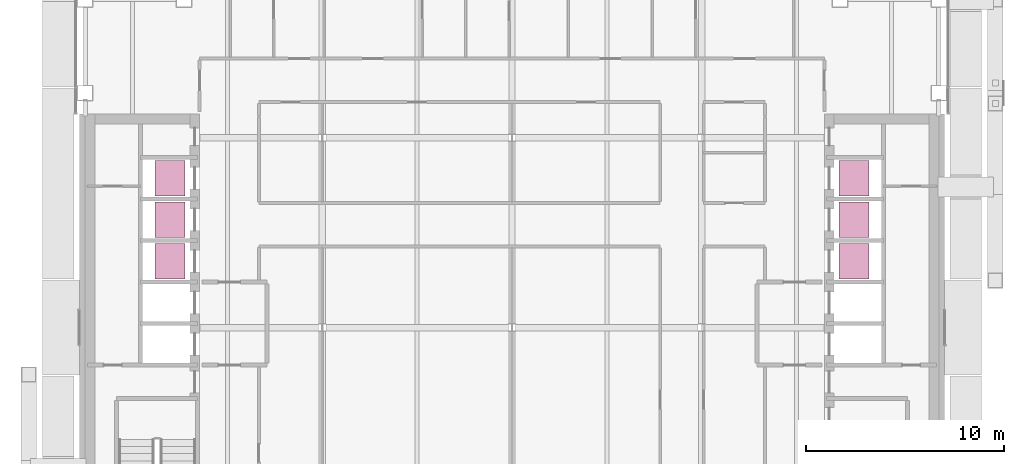
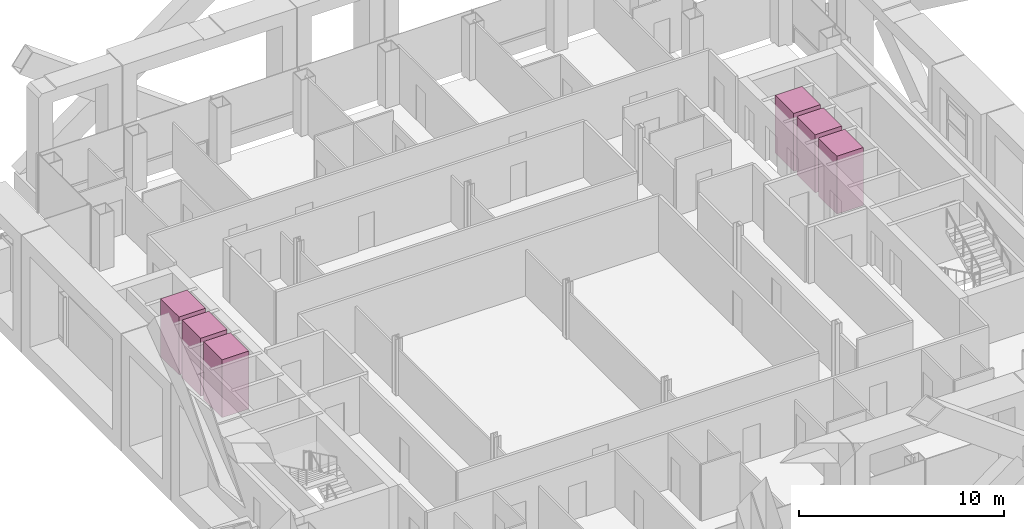
# One storey, part 22 of 22: 6 transport elements.
"""IFC4 building model written with IfcOpenShell, lengths in metres."""

from ifc_helpers import new_model, si_unit, direction, frame, origin, origin_2d, place, context, subcontext, project, spatial, rectangle, extrude, material, type_object, element, save


model = new_model("IFC4")

# Units and contexts
model_context = context("Model", 3, precision=1e-05, world=origin(), true_north=direction((0.0, 1.0)))
body_context = subcontext(model_context, "Body", "Model", "MODEL_VIEW")
ifc_project = project(units=[si_unit("LENGTHUNIT", "METRE"), si_unit("AREAUNIT", "SQUARE_METRE"), si_unit("VOLUMEUNIT", "CUBIC_METRE"), si_unit("PLANEANGLEUNIT", "RADIAN"), si_unit("MASSUNIT", "GRAM", prefix="KILO")], contexts=[model_context])

# Site, building, storey
site_placement = place(None, origin())
site = spatial("IfcSite", under=ifc_project, at=site_placement, CompositionType="ELEMENT")
building_placement = place(site_placement, origin())
building = spatial("IfcBuilding", under=site, at=building_placement, Name="Cobrizo Arcos Hotel Tower", CompositionType="ELEMENT")
storey_placement = place(building_placement, frame((0.0, 0.0, 176.0)))
storey = spatial("IfcBuildingStorey", under=building, at=storey_placement, Name="L45", CompositionType="ELEMENT", Elevation=176.0)

# Transport elements
ifc_material = material(Name="Stainless steel car", Category="steel")
transport_element_type = type_object("IfcTransportElementType", Name="Lift car High 1.8x1.5", PredefinedType="ELEVATOR", material=ifc_material)
for number, where, z_axis, x_axis, name in (
    (1, (-17.300048828125, 3.35009765625, 0.0), (0.0, 0.0, 1.0), (1.0, 0.0, 0.0), "High-rise passenger lift W1"),
    (2, (-17.300048828125, 5.449951171875, 0.0), (0.0, 0.0, 1.0), (1.0, 0.0, 0.0), "High-rise passenger lift W2"),
    (3, (-17.300048828125, 7.550048828125, 0.0), (0.0, 0.0, 1.0), (1.0, 0.0, 0.0), "High-rise passenger lift W3"),
    (4, (17.300048828125, 3.35009765625, 0.0), (0.0, 0.0, 1.0), (1.0, 0.0, 0.0), "High-rise passenger lift E1"),
    (5, (17.300048828125, 5.449951171875, 0.0), (0.0, 0.0, 1.0), (1.0, 0.0, 0.0), "High-rise passenger lift E2"),
    (6, (17.300048828125, 7.550048828125, 0.0), (0.0, 0.0, 1.0), (1.0, 0.0, 0.0), "High-rise passenger lift E3"),
):
    element("IfcTransportElement", number, at=place(storey_placement, frame(where, z_axis=z_axis, x_axis=x_axis)), inside=storey, type_object=transport_element_type, Name=name, PredefinedType="ELEVATOR", context=body_context, shape_type="SweptSolid", body=[
        extrude(rectangle(XDim=1.5, YDim=1.800048828125, at=origin_2d()), origin(), (0.0, 0.0, 1.0), 3.449951171875),
    ])

save(model, "model.ifc")
